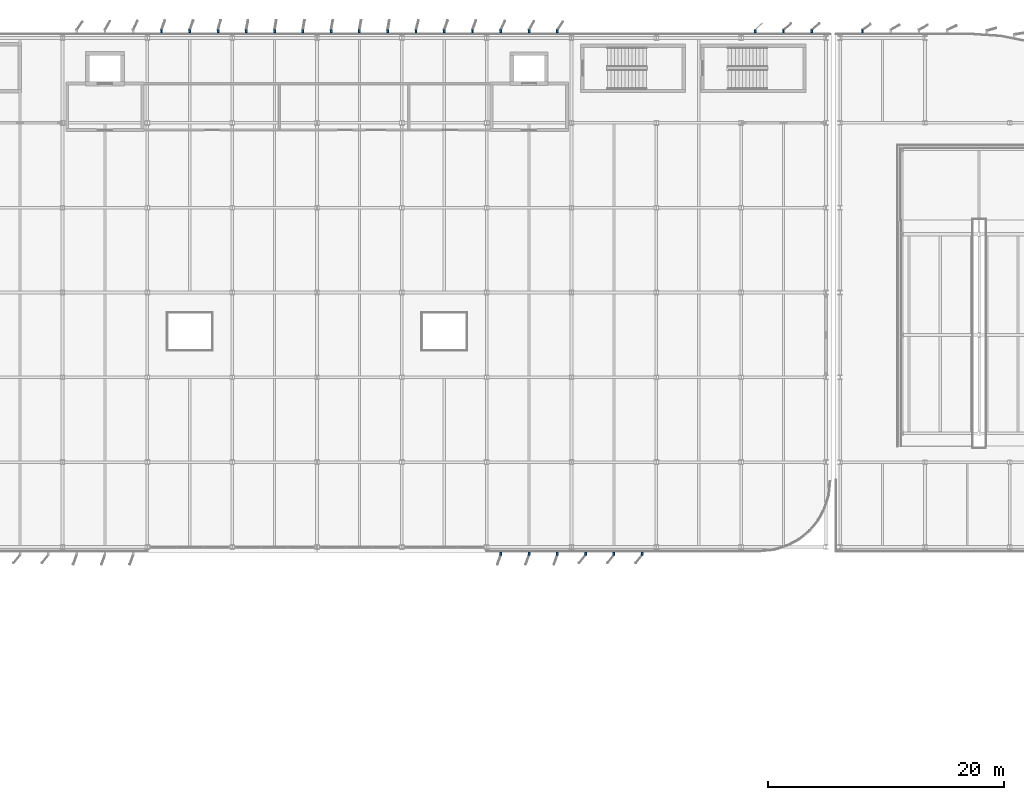
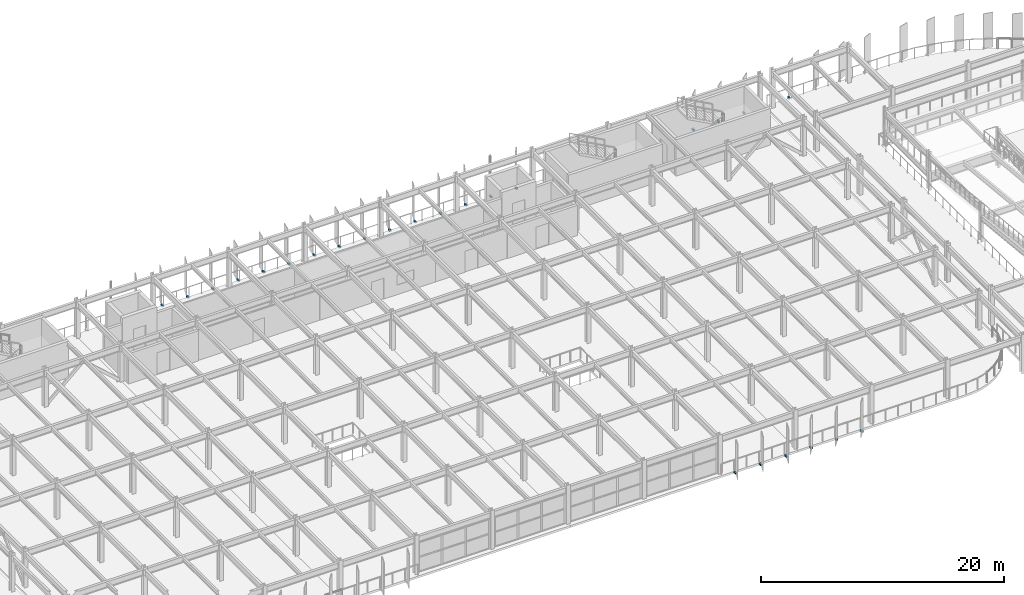
# One storey, part 40 of 52: 25 discrete accessories.
"""IFC4 building model written with IfcOpenShell, lengths in metres."""

from ifc_helpers import new_model, si_unit, direction, frame, origin, origin_2d, place, context, subcontext, project, spatial, rectangle, extrude, material, type_object, element, save


model = new_model("IFC4")

# Units and contexts
model_context = context("Model", 3, precision=1e-05, world=origin(), true_north=direction((0.0, 1.0)))
body_context = subcontext(model_context, "Body", "Model", "MODEL_VIEW")
ifc_project = project(units=[si_unit("LENGTHUNIT", "METRE"), si_unit("AREAUNIT", "SQUARE_METRE"), si_unit("VOLUMEUNIT", "CUBIC_METRE"), si_unit("PLANEANGLEUNIT", "RADIAN"), si_unit("MASSUNIT", "GRAM", prefix="KILO")], contexts=[model_context])

# Site, building, storey
site_placement = place(None, origin())
site = spatial("IfcSite", under=ifc_project, at=site_placement, CompositionType="ELEMENT")
building_placement = place(site_placement, origin())
building = spatial("IfcBuilding", under=site, at=building_placement, Name="Vaelcorin Mobility Hub", CompositionType="ELEMENT")
storey_placement = place(building_placement, frame((0.0, 0.0, 13.199951171875)))
storey = spatial("IfcBuildingStorey", under=building, at=storey_placement, Name="L03", CompositionType="ELEMENT", Elevation=13.199951171875)

# Discrete accessories
ifc_material = material(Name="Galvanised structural steel ASTM A36", Category="steel")
discrete_accessory_type = type_object("IfcDiscreteAccessoryType", Name="ACC-BRK-FIN", PredefinedType="BRACKET", material=ifc_material)
for number, where, z_axis, x_axis, name in (
    (1, (66.0, 120.570068359375, -0.15966796875), (0.0, 0.0, 1.0), (0.0, 1.0, 0.0), "Aerofoil Outrigger Bracket FIN-V4-L03-N-05-BK-01"),
    (2, (68.39990234375, 120.570068359375, -0.15966796875), (0.0, 0.0, 1.0), (0.0, 1.0, 0.0), "Aerofoil Outrigger Bracket FIN-V4-L03-N-05-BK-02"),
    (3, (70.800048828125, 120.570068359375, -0.15966796875), (0.0, 0.0, 1.0), (0.0, 1.0, 0.0), "Aerofoil Outrigger Bracket FIN-V4-L03-N-05-BK-03"),
    (4, (73.199951171875, 120.570068359375, -0.15966796875), (0.0, 0.0, 1.0), (0.0, 1.0, 0.0), "Aerofoil Outrigger Bracket FIN-V4-L03-N-06-BK-01"),
    (5, (75.60009765625, 120.570068359375, -0.15966796875), (0.0, 0.0, 1.0), (0.0, 1.0, 0.0), "Aerofoil Outrigger Bracket FIN-V4-L03-N-06-BK-02"),
    (6, (78.0, 120.570068359375, -0.15966796875), (0.0, 0.0, 1.0), (0.0, 1.0, 0.0), "Aerofoil Outrigger Bracket FIN-V4-L03-N-06-BK-03"),
    (7, (80.39990234375, 120.570068359375, -0.15966796875), (0.0, 0.0, 1.0), (0.0, 1.0, 0.0), "Aerofoil Outrigger Bracket FIN-V4-L03-N-07-BK-01"),
    (8, (82.800048828125, 120.570068359375, -0.15966796875), (0.0, 0.0, 1.0), (0.0, 1.0, 0.0), "Aerofoil Outrigger Bracket FIN-V4-L03-N-07-BK-02"),
    (9, (85.199951171875, 120.570068359375, -0.15966796875), (0.0, 0.0, 1.0), (0.0, 1.0, 0.0), "Aerofoil Outrigger Bracket FIN-V4-L03-N-07-BK-03"),
    (10, (87.60009765625, 120.570068359375, -0.15966796875), (0.0, 0.0, 1.0), (0.0, 1.0, 0.0), "Aerofoil Outrigger Bracket FIN-V4-L03-N-08-BK-01"),
    (11, (90.0, 120.570068359375, -0.15966796875), (0.0, 0.0, 1.0), (0.0, 1.0, 0.0), "Aerofoil Outrigger Bracket FIN-V4-L03-N-08-BK-02"),
    (12, (92.39990234375, 120.570068359375, -0.15966796875), (0.0, 0.0, 1.0), (0.0, 1.0, 0.0), "Aerofoil Outrigger Bracket FIN-V4-L03-N-08-BK-03"),
    (13, (99.60009765625, 76.22998046875, -0.15966796875), (0.0, 0.0, 1.0), (0.0, -1.0, 0.0), "Aerofoil Outrigger Bracket FIN-V4-L03-S-09-BK-01"),
    (14, (97.199951171875, 76.22998046875, -0.15966796875), (0.0, 0.0, 1.0), (0.0, -1.0, 0.0), "Aerofoil Outrigger Bracket FIN-V4-L03-S-09-BK-02"),
    (15, (94.800048828125, 76.22998046875, -0.15966796875), (0.0, 0.0, 1.0), (0.0, -1.0, 0.0), "Aerofoil Outrigger Bracket FIN-V4-L03-S-09-BK-03"),
    (16, (94.800048828125, 120.570068359375, -0.15966796875), (0.0, 0.0, 1.0), (0.0, 1.0, 0.0), "Aerofoil Outrigger Bracket FIN-V4-L03-N-09-BK-01"),
    (17, (97.199951171875, 120.570068359375, -0.15966796875), (0.0, 0.0, 1.0), (0.0, 1.0, 0.0), "Aerofoil Outrigger Bracket FIN-V4-L03-N-09-BK-02"),
    (18, (99.60009765625, 120.570068359375, -0.15966796875), (0.0, 0.0, 1.0), (0.0, 1.0, 0.0), "Aerofoil Outrigger Bracket FIN-V4-L03-N-09-BK-03"),
    (19, (106.800048828125, 76.22998046875, -0.15966796875), (0.0, 0.0, 1.0), (0.0, -1.0, 0.0), "Aerofoil Outrigger Bracket FIN-V4-L03-S-10-BK-01"),
    (20, (104.39990234375, 76.22998046875, -0.15966796875), (0.0, 0.0, 1.0), (0.0, -1.0, 0.0), "Aerofoil Outrigger Bracket FIN-V4-L03-S-10-BK-02"),
    (21, (102.0, 76.22998046875, -0.15966796875), (0.0, 0.0, 1.0), (0.0, -1.0, 0.0), "Aerofoil Outrigger Bracket FIN-V4-L03-S-10-BK-03"),
    (22, (116.39990234375, 120.570068359375, -0.15966796875), (0.0, 0.0, 1.0), (0.0, 1.0, 0.0), "Aerofoil Outrigger Bracket FIN-V4-L03-N-12-BK-01"),
    (23, (118.800048828125, 120.570068359375, -0.15966796875), (0.0, 0.0, 1.0), (0.0, 1.0, 0.0), "Aerofoil Outrigger Bracket FIN-V4-L03-N-12-BK-02"),
    (24, (121.199951171875, 120.570068359375, -0.15966796875), (0.0, 0.0, 1.0), (0.0, 1.0, 0.0), "Aerofoil Outrigger Bracket FIN-V4-L03-N-12-BK-03"),
    (25, (125.5, 120.570068359375, -0.15966796875), (0.0, 0.0, 1.0), (0.0, 1.0, 0.0), "Aerofoil Outrigger Bracket FIN-V2E-L03-N-BK-01"),
):
    element("IfcDiscreteAccessory", number, at=place(storey_placement, frame(where, z_axis=z_axis, x_axis=x_axis)), inside=storey, type_object=discrete_accessory_type, Name=name, PredefinedType="BRACKET", context=body_context, shape_type="SweptSolid", body=[
        extrude(rectangle(XDim=0.280029296875, YDim=0.159912109375, at=origin_2d()), origin(), (0.0, 0.0, 1.0), 0.159912109375),
    ])

save(model, "model.ifc")
